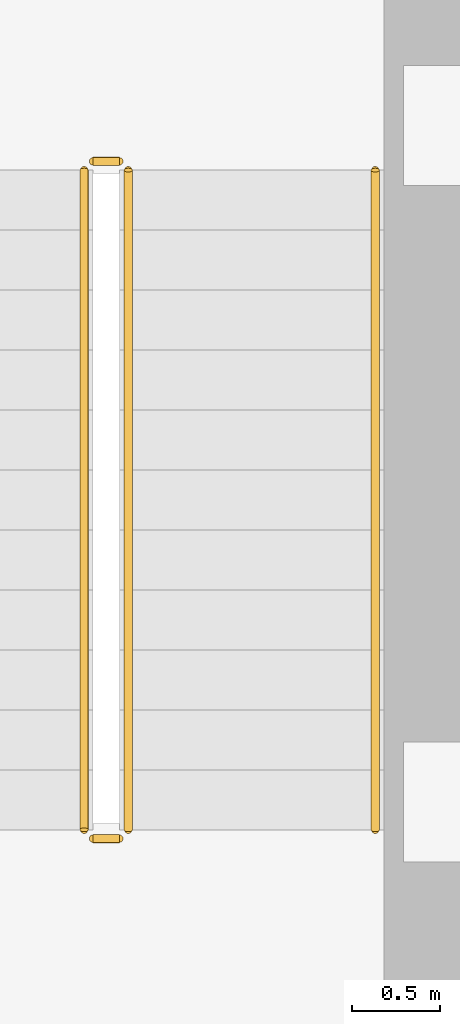
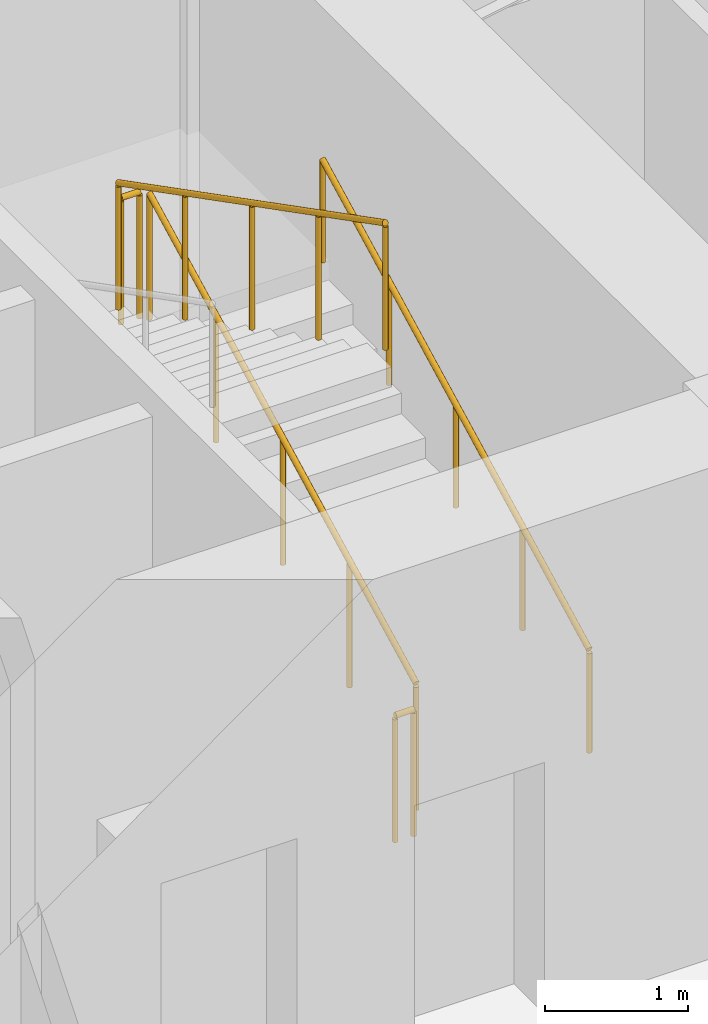
# One storey, part 12 of 14: 5 railings.
"""IFC4 building model written with IfcOpenShell, lengths in metres."""

from ifc_helpers import new_model, si_unit, direction, frame, origin, origin_2d, place, context, subcontext, project, spatial, circle, extrude, material, type_object, element, save


model = new_model("IFC4")

# Units and contexts
model_context = context("Model", 3, precision=1e-05, world=origin(), true_north=direction((0.0, 1.0)))
body_context = subcontext(model_context, "Body", "Model", "MODEL_VIEW")
ifc_project = project(units=[si_unit("LENGTHUNIT", "METRE"), si_unit("AREAUNIT", "SQUARE_METRE"), si_unit("VOLUMEUNIT", "CUBIC_METRE"), si_unit("PLANEANGLEUNIT", "RADIAN"), si_unit("MASSUNIT", "GRAM", prefix="KILO")], contexts=[model_context])

# Site, building, storey
site_placement = place(None, origin())
site = spatial("IfcSite", under=ifc_project, at=site_placement, CompositionType="ELEMENT")
building_placement = place(site_placement, origin())
building = spatial("IfcBuilding", under=site, at=building_placement, Name="Keldmark Tower", CompositionType="ELEMENT")
storey_placement = place(building_placement, frame((0.0, 0.0, 18.60009765625)))
storey = spatial("IfcBuildingStorey", under=building, at=storey_placement, Name="L04", CompositionType="ELEMENT", Elevation=18.60009765625)

# Railings
ifc_material_1 = material(Name="Painted Steel ASTM A500 Grade B", Category="steel")
railing_type_1 = type_object("IfcRailingType", Name="Painted Steel Stair Well Guard 1100 mm", PredefinedType="GUARDRAIL", material=ifc_material_1)
railing_1_placement = place(storey_placement, frame((11.699951171875, 3.35009765625, 0.1748046875)))
element("IfcRailing", 1, at=railing_1_placement, inside=storey, type_object=railing_type_1, Name="L04 ST2 stair guard 1", PredefinedType="GUARDRAIL", context=body_context, shape_type="SweptSolid", body=[
    extrude(circle(Radius=0.02392578125, at=origin_2d()), frame((0.0, 0.0, 1.076171875), z_axis=(0.0, 0.889130600629, 0.457653553493), x_axis=(-1.0, 0.0, 0.0)), (0.0, 0.0, 1.0), 4.206298828125),
    extrude(circle(Radius=0.02099609375, at=origin_2d()), origin(), (0.0, 0.0, 1.0), 1.052001953125),
    extrude(circle(Radius=0.02099609375, at=origin_2d()), frame((0.0, 0.93505859375, 0.481201171875)), (0.0, 0.0, 1.0), 1.052001953125),
    extrude(circle(Radius=0.02099609375, at=origin_2d()), frame((0.0, 1.8701171875, 0.96240234375)), (0.0, 0.0, 1.0), 1.052001953125),
    extrude(circle(Radius=0.02099609375, at=origin_2d()), frame((0.0, 2.804931640625, 1.44384765625)), (0.0, 0.0, 1.0), 1.052001953125),
    extrude(circle(Radius=0.02099609375, at=origin_2d()), frame((0.0, 3.739990234375, 1.925048828125)), (0.0, 0.0, 1.0), 1.052001953125),
])
railing_2_placement = place(storey_placement, frame((11.64990234375, 7.139892578125, 2.099853515625)))
element("IfcRailing", 2, at=railing_2_placement, inside=storey, type_object=railing_type_1, Name="L04 ST2 stair guard 2", PredefinedType="GUARDRAIL", context=body_context, shape_type="SweptSolid", body=[
    extrude(circle(Radius=0.02392578125, at=origin_2d()), frame((0.0, 0.0, 1.076171875), z_axis=(-1.0, 0.0, 0.0), x_axis=(0.0, -1.0, 0.0)), (0.0, 0.0, 1.0), 0.14990234375),
    extrude(circle(Radius=0.02099609375, at=origin_2d()), origin(), (0.0, 0.0, 1.0), 1.052001953125),
    extrude(circle(Radius=0.02099609375, at=origin_2d()), frame((-0.14990234375, 0.0, 0.0)), (0.0, 0.0, 1.0), 1.052001953125),
])
railing_3_placement = place(storey_placement, frame((11.449951171875, 7.090087890625, 2.27490234375)))
element("IfcRailing", 3, at=railing_3_placement, inside=storey, type_object=railing_type_1, Name="L04 ST2 stair guard 3", PredefinedType="GUARDRAIL", context=body_context, shape_type="SweptSolid", body=[
    extrude(circle(Radius=0.02392578125, at=origin_2d()), frame((0.0, 0.0, 1.076171875), z_axis=(0.0, -0.889130600629, 0.457653553493), x_axis=(1.0, 0.0, 0.0)), (0.0, 0.0, 1.0), 4.206298828125),
    extrude(circle(Radius=0.02099609375, at=origin_2d()), origin(), (0.0, 0.0, 1.0), 1.052001953125),
    extrude(circle(Radius=0.02099609375, at=origin_2d()), frame((0.0, -0.93505859375, 0.481201171875)), (0.0, 0.0, 1.0), 1.052001953125),
    extrude(circle(Radius=0.02099609375, at=origin_2d()), frame((0.0, -1.8701171875, 0.96240234375)), (0.0, 0.0, 1.0), 1.052001953125),
    extrude(circle(Radius=0.02099609375, at=origin_2d()), frame((0.0, -2.804931640625, 1.44384765625)), (0.0, 0.0, 1.0), 1.052001953125),
    extrude(circle(Radius=0.02099609375, at=origin_2d()), frame((0.0, -3.739990234375, 1.925048828125)), (0.0, 0.0, 1.0), 1.052001953125),
])
railing_4_placement = place(storey_placement, frame((11.64990234375, 3.300048828125, 0.0)))
element("IfcRailing", 4, at=railing_4_placement, inside=storey, type_object=railing_type_1, Name="L04 ST2 stair guard 4", PredefinedType="GUARDRAIL", context=body_context, shape_type="SweptSolid", body=[
    extrude(circle(Radius=0.02392578125, at=origin_2d()), frame((0.0, 0.0, 1.076171875), z_axis=(-1.0, 0.0, 0.0), x_axis=(0.0, -1.0, 0.0)), (0.0, 0.0, 1.0), 0.14990234375),
    extrude(circle(Radius=0.02099609375, at=origin_2d()), origin(), (0.0, 0.0, 1.0), 1.052001953125),
    extrude(circle(Radius=0.02099609375, at=origin_2d()), frame((-0.14990234375, 0.0, 0.0)), (0.0, 0.0, 1.0), 1.052001953125),
])
ifc_material_2 = material(Name="Stainless Steel AISI 316L", Category="steel")
railing_type_2 = type_object("IfcRailingType", Name="Stainless Steel Stair Handrail 900 mm", PredefinedType="HANDRAIL", material=ifc_material_2)
railing_5_placement = place(storey_placement, frame((13.10009765625, 3.35009765625, 0.1748046875)))
element("IfcRailing", 5, at=railing_5_placement, inside=storey, type_object=railing_type_2, Name="L04 ST2 stair handrail 1", PredefinedType="HANDRAIL", context=body_context, shape_type="SweptSolid", body=[
    extrude(circle(Radius=0.02392578125, at=origin_2d()), frame((0.0, 0.0, 0.8759765625), z_axis=(0.0, 0.889130600629, 0.457653553493), x_axis=(-1.0, 0.0, 0.0)), (0.0, 0.0, 1.0), 4.206298828125),
    extrude(circle(Radius=0.02099609375, at=origin_2d()), origin(), (0.0, 0.0, 1.0), 0.851806640625),
    extrude(circle(Radius=0.02099609375, at=origin_2d()), frame((0.0, 0.93505859375, 0.481201171875)), (0.0, 0.0, 1.0), 0.851806640625),
    extrude(circle(Radius=0.02099609375, at=origin_2d()), frame((0.0, 1.8701171875, 0.96240234375)), (0.0, 0.0, 1.0), 0.851806640625),
    extrude(circle(Radius=0.02099609375, at=origin_2d()), frame((0.0, 2.804931640625, 1.44384765625)), (0.0, 0.0, 1.0), 0.851806640625),
    extrude(circle(Radius=0.02099609375, at=origin_2d()), frame((0.0, 3.739990234375, 1.925048828125)), (0.0, 0.0, 1.0), 0.851806640625),
])

save(model, "model.ifc")
